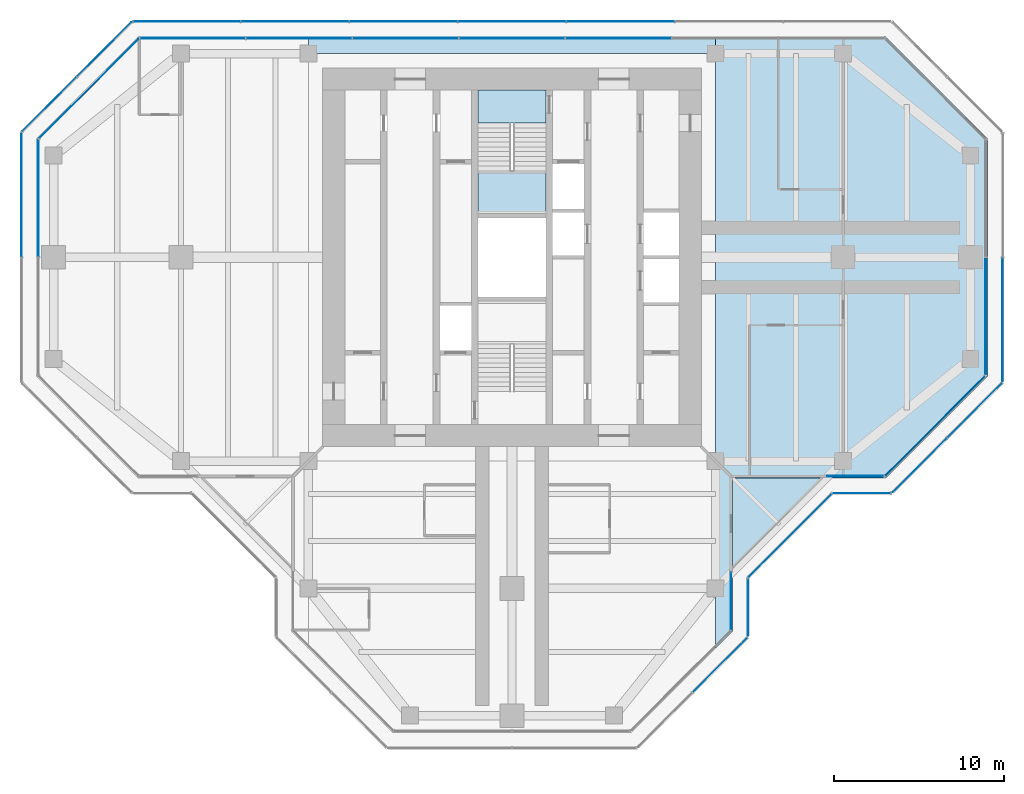
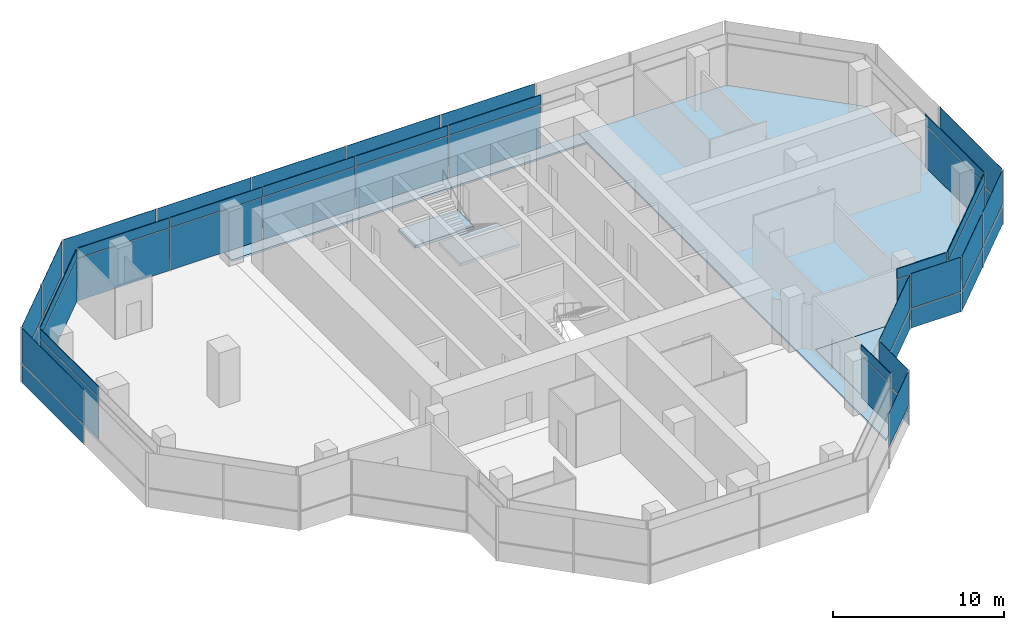
# One storey, part 10 of 15: 51 plates, 5 slabs, 17 elements without a shape of their own.
"""IFC4 building model written with IfcOpenShell, lengths in metres."""

import ifcopenshell
import ifcopenshell.guid

model = None  # the IFC model being written
_history = None  # IfcOwnerHistory: only IFC2X3 demands one
_inside = {}  # id of a spatial element -> (the spatial element, [elements in it])
_under = {}  # id of a project, library or spatial element -> (it, [spatial elements below it])
_declared = {}  # id of a project -> (the project, [libraries it declares])
_typed = {}  # id of a type object -> (the type object, [elements of that type])
_made_of = {}  # id of a material, layer set ... -> (it, [elements and type objects made of it])


def new_model(schema):
    """Start an empty IFC model of exactly this schema.

    Asked for "IFC4X3", IfcOpenShell would pick the latest addendum, in which some entities
    have other attributes; the version numbers below select the first issue.
    IFC2X3 requires an IfcOwnerHistory on every rooted entity: one is made here for all.
    """
    global model, _history
    if schema == "IFC4X3":
        model = ifcopenshell.file(schema_version=(4, 3, 0, 0))
    else:
        model = ifcopenshell.file(schema=schema)
    _inside.clear()
    _under.clear()
    _declared.clear()
    _typed.clear()
    _made_of.clear()
    _history = None
    if model.schema == "IFC2X3":
        org = make("IfcOrganization", Name="unknown")
        user = make(
            "IfcPersonAndOrganization",
            ThePerson=make("IfcPerson", FamilyName="unknown"),
            TheOrganization=org,
        )
        app = make(
            "IfcApplication",
            ApplicationDeveloper=org,
            Version="unknown",
            ApplicationFullName="unknown",
            ApplicationIdentifier="unknown",
        )
        _history = make(
            "IfcOwnerHistory",
            OwningUser=user,
            OwningApplication=app,
            ChangeAction="ADDED",
            CreationDate=0,
        )
    return model


def make(cls, **values):
    """One entity of the class cls with the attributes given. An attribute that is None is left unset."""
    return model.create_entity(
        cls, **{name: value for name, value in values.items() if value is not None}
    )


def rooted(cls, **values):
    """An entity with a GlobalId (a new one), such as an element, a storey or a relation."""
    return make(cls, GlobalId=ifcopenshell.guid.new(), OwnerHistory=_history, **values)


def si_unit(unit_type, name, prefix=None):
    """IfcSIUnit, for example si_unit("LENGTHUNIT", "METRE", prefix="MILLI")."""
    return make("IfcSIUnit", UnitType=unit_type, Prefix=prefix, Name=name)


def assignment(units):
    """IfcUnitAssignment: the units of a project."""
    return None if units is None else make("IfcUnitAssignment", Units=units)


def point(xyz):
    """IfcCartesianPoint."""
    return None if xyz is None else make("IfcCartesianPoint", Coordinates=xyz)


def direction(xyz):
    """IfcDirection."""
    return None if xyz is None else make("IfcDirection", DirectionRatios=xyz)


def frame(location, z_axis=None, x_axis=None):
    """IfcAxis2Placement3D, a coordinate frame: its origin and axes. An axis left out is left unset."""
    return make(
        "IfcAxis2Placement3D",
        Location=point(location),
        Axis=direction(z_axis),
        RefDirection=direction(x_axis),
    )


def frame_2d(location, x_axis=None):
    """IfcAxis2Placement2D, a coordinate frame in the plane: its origin and x axis."""
    return make(
        "IfcAxis2Placement2D", Location=point(location), RefDirection=direction(x_axis)
    )


def origin():
    """The frame at (0, 0, 0) with its axes left unset."""
    return frame((0.0, 0.0, 0.0))


def origin_2d():
    """The frame at (0, 0) in the plane with its x axis left unset."""
    return frame_2d((0.0, 0.0))


def place(relative_to, where):
    """IfcLocalPlacement: puts the frame where relative to a parent placement (None: the world)."""
    return make(
        "IfcLocalPlacement", PlacementRelTo=relative_to, RelativePlacement=where
    )


def context(
    kind, dimensions, precision=None, world=None, true_north=None, identifier=None
):
    """IfcGeometricRepresentationContext, for example the 3D "Model" context."""
    return make(
        "IfcGeometricRepresentationContext",
        ContextIdentifier=identifier,
        ContextType=kind,
        CoordinateSpaceDimension=dimensions,
        Precision=precision,
        WorldCoordinateSystem=world,
        TrueNorth=true_north,
    )


def subcontext(parent, identifier, kind, view, scale=None):
    """IfcGeometricRepresentationSubContext, for example "Body" below "Model"."""
    return make(
        "IfcGeometricRepresentationSubContext",
        ContextIdentifier=identifier,
        ContextType=kind,
        ParentContext=parent,
        TargetScale=scale,
        TargetView=view,
    )


def project(units=None, contexts=None):
    """IfcProject with its units and contexts."""
    return rooted(
        "IfcProject",
        Name="project",
        RepresentationContexts=contexts,
        UnitsInContext=assignment(units),
    )


def spatial(cls, under=None, at=None, **own):
    """A site, building, storey or space (cls), placed at a placement, below another one or the project."""
    s = rooted(cls, ObjectPlacement=at, **own)
    if under is not None:
        _under.setdefault(under.id(), (under, []))[1].append(s)
    return s


def polyline(points):
    """IfcPolyline through the points."""
    return make("IfcPolyline", Points=[point(p) for p in points])


def profile(cls, at=None, kind="AREA", **sizes):
    """A parametric profile (cls). Its sizes go by their IFC names, for example OverallWidth=200.0."""
    return make(cls, ProfileType=kind, Position=at, **sizes)


def rectangle(**sizes):
    """IfcRectangleProfileDef."""
    return profile("IfcRectangleProfileDef", **sizes)


def outline(outer, holes=None, kind="AREA"):
    """IfcArbitraryClosedProfileDef: a profile drawn as a closed curve; with holes, ...WithVoids."""
    if holes is None:
        return make("IfcArbitraryClosedProfileDef", ProfileType=kind, OuterCurve=outer)
    return make(
        "IfcArbitraryProfileDefWithVoids",
        ProfileType=kind,
        OuterCurve=outer,
        InnerCurves=holes,
    )


def extrude(swept, where, along, depth):
    """IfcExtrudedAreaSolid: the profile swept, set in the frame where, extruded along a direction by depth."""
    return make(
        "IfcExtrudedAreaSolid",
        SweptArea=swept,
        Position=where,
        ExtrudedDirection=direction(along),
        Depth=depth,
    )


def shape(context_of_items, identifier, shape_type, items):
    """IfcShapeRepresentation: the items that make up one representation, for example the "Body"."""
    return make(
        "IfcShapeRepresentation",
        ContextOfItems=context_of_items,
        RepresentationIdentifier=identifier,
        RepresentationType=shape_type,
        Items=items,
    )


def material(Name=None, Category=None):
    """IfcMaterial."""
    return make("IfcMaterial", Name=Name, Category=Category)


def layer(
    of_material, thickness, ventilated=None, Name=None, Category=None, Priority=None
):
    """IfcMaterialLayer: one layer of a wall or slab, of a material (None: an air gap)."""
    return make(
        "IfcMaterialLayer",
        Material=of_material,
        LayerThickness=thickness,
        IsVentilated=ventilated,
        Name=Name,
        Category=Category,
        Priority=Priority,
    )


def layer_set(layers, Name=None):
    """IfcMaterialLayerSet."""
    return make("IfcMaterialLayerSet", MaterialLayers=layers, LayerSetName=Name)


def made_of(thing, what):
    """Note that an element or type object is made of a material, layer set ...; save() writes the relation."""
    if what is not None:
        _made_of.setdefault(what.id(), (what, []))[1].append(thing)
    return thing


def type_object(cls, material=None, **own):
    """A type object (cls), such as IfcWallType, which elements share."""
    return made_of(rooted(cls, **own), material)


def element(
    cls,
    number,
    at=None,
    inside=None,
    cuts=None,
    type_object=None,
    material=None,
    context=None,
    identifier="Body",
    shape_type=None,
    held_by="IfcProductDefinitionShape",
    body=None,
    shapes=None,
    **own,
):
    """One element of the class cls, such as IfcWall. Its Tag is "e" and its number.

    at: its placement. inside: the storey or other place that contains it. cuts: it is an
    opening in that element (IfcRelVoidsElement). A single representation is given by context,
    identifier, shape_type and body (its items); several are given by shapes. held_by: the class
    of the entity that holds the representations. save() writes the other relations.
    """
    e = rooted(cls, Tag="e%d" % number, ObjectPlacement=at, **own)
    if body is not None:
        shapes = [shape(context, identifier, shape_type, body)]
    if shapes is not None:
        e.Representation = make(held_by, Representations=shapes)
    if inside is not None:
        _inside.setdefault(inside.id(), (inside, []))[1].append(e)
    if cuts is not None:
        rooted(
            "IfcRelVoidsElement", RelatingBuildingElement=cuts, RelatedOpeningElement=e
        )
    if type_object is not None:
        _typed.setdefault(type_object.id(), (type_object, []))[1].append(e)
    return made_of(e, material)


def aggregate(whole, parts):
    """IfcRelAggregates: a whole, such as a stair, and the parts it consists of."""
    return rooted("IfcRelAggregates", RelatingObject=whole, RelatedObjects=parts)


def save(model, path):
    """Write the relations noted so far, then the file.

    IfcRelAggregates (storeys below a building ...), IfcRelContainedInSpatialStructure (elements
    in a storey), IfcRelDefinesByType, IfcRelAssociatesMaterial and IfcRelDeclares: one each for
    every whole, place, type object, material and project.
    """
    for whole, parts in _under.values():
        aggregate(whole, parts)
    for where, things in _inside.values():
        rooted(
            "IfcRelContainedInSpatialStructure",
            RelatedElements=things,
            RelatingStructure=where,
        )
    for kind, things in _typed.values():
        rooted("IfcRelDefinesByType", RelatedObjects=things, RelatingType=kind)
    for what, things in _made_of.values():
        rooted("IfcRelAssociatesMaterial", RelatedObjects=things, RelatingMaterial=what)
    for by, libraries in _declared.values():
        rooted("IfcRelDeclares", RelatingContext=by, RelatedDefinitions=libraries)
    model.write(path)


model = new_model("IFC4")

# Units and contexts
model_context = context("Model", 3, precision=1e-05, world=origin(), true_north=direction((0.0, 1.0)))
body_context = subcontext(model_context, "Body", "Model", "MODEL_VIEW")
ifc_project = project(units=[si_unit("LENGTHUNIT", "METRE"), si_unit("AREAUNIT", "SQUARE_METRE"), si_unit("VOLUMEUNIT", "CUBIC_METRE"), si_unit("PLANEANGLEUNIT", "RADIAN"), si_unit("MASSUNIT", "GRAM", prefix="KILO")], contexts=[model_context])

# Site, building, storey
site_placement = place(None, origin())
site = spatial("IfcSite", under=ifc_project, at=site_placement, CompositionType="ELEMENT")
building_placement = place(site_placement, origin())
building = spatial("IfcBuilding", under=site, at=building_placement, Name="Mizan Broadcast Tower", CompositionType="ELEMENT")
storey_placement = place(building_placement, frame((0.0, 0.0, 271.199951171875)))
storey = spatial("IfcBuildingStorey", under=building, at=storey_placement, Name="L64", CompositionType="ELEMENT", Elevation=271.199951171875)

# Slabs
ifc_material_1 = material(Name="Concrete C32/40", Category="concrete")
ifc_layer_1 = layer(ifc_material_1, 0.1298828125)
ifc_layer_set_1 = layer_set([ifc_layer_1], Name="Concrete C32/40")
slab_type_1 = type_object("IfcSlabType", Name="COMPOSITE DECK SLAB 130", PredefinedType="FLOOR", material=ifc_layer_set_1)
slab_1_placement = place(storey_placement, frame((0.0, 0.0, -0.1298828125)))
element("IfcSlab", 1, at=slab_1_placement, inside=storey, type_object=slab_type_1, Name="Floor slab L64 east arm", PredefinedType="FLOOR", context=body_context, shape_type="SweptSolid", body=[
    extrude(outline(polyline([(12.0, -23.0), (13.0, -22.0), (13.0, -13.0), (22.0, -13.0), (28.0, -7.0), (28.0, 7.0), (22.0, 13.0), (13.0, 13.0), (12.0, 13.0), (12.0, -23.0)])), origin(), (0.0, 0.0, 1.0), 0.1298828125),
])
slab_2_placement = place(storey_placement, frame((0.0, 0.0, -0.1298828125)))
element("IfcSlab", 2, at=slab_2_placement, inside=storey, type_object=slab_type_1, Name="Floor slab L64 north arm", PredefinedType="FLOOR", context=body_context, shape_type="SweptSolid", body=[
    extrude(outline(polyline([(12.0, 13.0), (-12.0, 13.0), (-12.0, 12.0), (12.0, 12.0), (12.0, 13.0)])), origin(), (0.0, 0.0, 1.0), 0.1298828125),
])

# Curtain wall, plate
ifc_material_2 = material(Name="Aluminium framed glazing", Category="aluminium")
curtain_wall_type_1 = type_object("IfcCurtainWallType", Name="INNER SKIN TOP ZONE", PredefinedType="USERDEFINED", material=ifc_material_2)
curtain_wall_1_placement = place(storey_placement, origin())
curtain_wall_1 = element("IfcCurtainWall", 3, at=curtain_wall_1_placement, inside=storey, type_object=curtain_wall_type_1, Name="Inner skin top zone L64 E side", ObjectType="INNER SKIN TOP ZONE", PredefinedType="USERDEFINED")
ifc_material_3 = material(Name="Double glazing, clear low-e", Category="glass")
ifc_layer_2 = layer(ifc_material_3, 0.028076171875)
ifc_layer_set_2 = layer_set([ifc_layer_2], Name="Double glazing, clear low-e")
plate_type_1 = type_object("IfcPlateType", Name="INNER SKIN GLAZING UNIT", PredefinedType="CURTAIN_PANEL", material=ifc_layer_set_2)
plate_1_placement = place(storey_placement, frame((20.229248046875, -12.89990234375, 0.0), z_axis=(0.0, 0.0, 1.0), x_axis=(1.0, 0.0, 0.0)))
plate_1 = element("IfcPlate", 4, at=plate_1_placement, type_object=plate_type_1, Name="Inner skin top zone L64 E side panel 1.1", PredefinedType="CURTAIN_PANEL", context=body_context, shape_type="SweptSolid", body=[
    extrude(rectangle(XDim=3.338623046875, YDim=0.028076171875, at=origin_2d()), origin(), (0.0, 0.0, 1.0), 3.0),
])

curtain_wall_2_placement = place(storey_placement, origin())
curtain_wall_2 = element("IfcCurtainWall", 5, at=curtain_wall_2_placement, inside=storey, type_object=curtain_wall_type_1, Name="Inner skin top zone L64 E chamfer", ObjectType="INNER SKIN TOP ZONE", PredefinedType="USERDEFINED")
plate_2_placement = place(storey_placement, frame((24.92919921875, -9.92919921875, 0.0), z_axis=(0.0, 0.0, 1.0), x_axis=(0.707106781187, 0.707106781187, 0.0)))
plate_2 = element("IfcPlate", 6, at=plate_2_placement, type_object=plate_type_1, Name="Inner skin top zone L64 E chamfer panel 1.1", PredefinedType="CURTAIN_PANEL", context=body_context, shape_type="SweptSolid", body=[
    extrude(rectangle(XDim=8.282470703125, YDim=0.028076171875, at=origin_2d()), origin(), (0.0, 0.0, 1.0), 3.0),
])

curtain_wall_3_placement = place(storey_placement, origin())
curtain_wall_3 = element("IfcCurtainWall", 7, at=curtain_wall_3_placement, inside=storey, type_object=curtain_wall_type_1, Name="Inner skin top zone L64 E end", ObjectType="INNER SKIN TOP ZONE", PredefinedType="USERDEFINED")
plate_3_placement = place(storey_placement, frame((27.89990234375, -3.46435546875, 0.0), z_axis=(0.0, 0.0, 1.0), x_axis=(0.0, 1.0, 0.0)))
plate_3 = element("IfcPlate", 8, at=plate_3_placement, type_object=plate_type_1, Name="Inner skin top zone L64 E end panel 1.1", PredefinedType="CURTAIN_PANEL", context=body_context, shape_type="SweptSolid", body=[
    extrude(rectangle(XDim=6.86865234375, YDim=0.028076171875, at=origin_2d()), origin(), (0.0, 0.0, 1.0), 3.0),
])

# Curtain wall, plates
curtain_wall_4_placement = place(storey_placement, origin())
curtain_wall_4 = element("IfcCurtainWall", 9, at=curtain_wall_4_placement, inside=storey, type_object=curtain_wall_type_1, Name="Inner skin top zone L64 N end", ObjectType="INNER SKIN TOP ZONE", PredefinedType="USERDEFINED")
plate_4_placement = place(storey_placement, frame((6.27392578125, 12.89990234375, 0.0), z_axis=(0.0, 0.0, 1.0), x_axis=(-1.0, 0.0, 0.0)))
plate_4 = element("IfcPlate", 10, at=plate_4_placement, type_object=plate_type_1, Name="Inner skin top zone L64 N end panel 3.1", PredefinedType="CURTAIN_PANEL", context=body_context, shape_type="SweptSolid", body=[
    extrude(rectangle(XDim=6.2138671875, YDim=0.028076171875, at=origin_2d()), origin(), (0.0, 0.0, 1.0), 3.0),
])
plate_5_placement = place(storey_placement, frame((0.0, 12.89990234375, 0.0), z_axis=(0.0, 0.0, 1.0), x_axis=(-1.0, 0.0, 0.0)))
plate_5 = element("IfcPlate", 11, at=plate_5_placement, type_object=plate_type_1, Name="Inner skin top zone L64 N end panel 4.1", PredefinedType="CURTAIN_PANEL", context=body_context, shape_type="SweptSolid", body=[
    extrude(rectangle(XDim=6.2138671875, YDim=0.028076171875, at=origin_2d()), origin(), (0.0, 0.0, 1.0), 3.0),
])
plate_6_placement = place(storey_placement, frame((-6.27392578125, 12.89990234375, 0.0), z_axis=(0.0, 0.0, 1.0), x_axis=(-1.0, 0.0, 0.0)))
plate_6 = element("IfcPlate", 12, at=plate_6_placement, type_object=plate_type_1, Name="Inner skin top zone L64 N end panel 5.1", PredefinedType="CURTAIN_PANEL", context=body_context, shape_type="SweptSolid", body=[
    extrude(rectangle(XDim=6.2138671875, YDim=0.028076171875, at=origin_2d()), origin(), (0.0, 0.0, 1.0), 3.0),
])
plate_7_placement = place(storey_placement, frame((-12.5478515625, 12.89990234375, 0.0), z_axis=(0.0, 0.0, 1.0), x_axis=(-1.0, 0.0, 0.0)))
plate_7 = element("IfcPlate", 13, at=plate_7_placement, type_object=plate_type_1, Name="Inner skin top zone L64 N end panel 6.1", PredefinedType="CURTAIN_PANEL", context=body_context, shape_type="SweptSolid", body=[
    extrude(rectangle(XDim=6.2138671875, YDim=0.028076171875, at=origin_2d()), origin(), (0.0, 0.0, 1.0), 3.0),
])
plate_8_placement = place(storey_placement, frame((-18.806640625, 12.89990234375, 0.0), z_axis=(0.0, 0.0, 1.0), x_axis=(-1.0, 0.0, 0.0)))
plate_8 = element("IfcPlate", 14, at=plate_8_placement, type_object=plate_type_1, Name="Inner skin top zone L64 N end panel 7.1", PredefinedType="CURTAIN_PANEL", context=body_context, shape_type="SweptSolid", body=[
    extrude(rectangle(XDim=6.183837890625, YDim=0.028076171875, at=origin_2d()), origin(), (0.0, 0.0, 1.0), 3.0),
])

# Curtain wall, plate
curtain_wall_5_placement = place(storey_placement, origin())
curtain_wall_5 = element("IfcCurtainWall", 15, at=curtain_wall_5_placement, inside=storey, type_object=curtain_wall_type_1, Name="Inner skin top zone L64 W chamfer", ObjectType="INNER SKIN TOP ZONE", PredefinedType="USERDEFINED")
plate_9_placement = place(storey_placement, frame((-24.92919921875, 9.92919921875, 0.0), z_axis=(0.0, 0.0, 1.0), x_axis=(-0.707106781187, -0.707106781187, 0.0)))
plate_9 = element("IfcPlate", 16, at=plate_9_placement, type_object=plate_type_1, Name="Inner skin top zone L64 W chamfer panel 1.1", PredefinedType="CURTAIN_PANEL", context=body_context, shape_type="SweptSolid", body=[
    extrude(rectangle(XDim=8.282470703125, YDim=0.028076171875, at=origin_2d()), origin(), (0.0, 0.0, 1.0), 3.0),
])

curtain_wall_6_placement = place(storey_placement, origin())
curtain_wall_6 = element("IfcCurtainWall", 17, at=curtain_wall_6_placement, inside=storey, type_object=curtain_wall_type_1, Name="Inner skin top zone L64 W end", ObjectType="INNER SKIN TOP ZONE", PredefinedType="USERDEFINED")
plate_10_placement = place(storey_placement, frame((-27.89990234375, 3.46435546875, 0.0), z_axis=(0.0, 0.0, 1.0), x_axis=(0.0, -1.0, 0.0)))
plate_10 = element("IfcPlate", 18, at=plate_10_placement, type_object=plate_type_1, Name="Inner skin top zone L64 W end panel 1.1", PredefinedType="CURTAIN_PANEL", context=body_context, shape_type="SweptSolid", body=[
    extrude(rectangle(XDim=6.86865234375, YDim=0.028076171875, at=origin_2d()), origin(), (0.0, 0.0, 1.0), 3.0),
])

curtain_wall_7_placement = place(storey_placement, origin())
curtain_wall_7 = element("IfcCurtainWall", 19, at=curtain_wall_7_placement, inside=storey, type_object=curtain_wall_type_1, Name="Inner skin top zone L64 S side", ObjectType="INNER SKIN TOP ZONE", PredefinedType="USERDEFINED")
plate_11_placement = place(storey_placement, frame((12.89990234375, -20.229248046875, 0.0), z_axis=(0.0, 0.0, 1.0), x_axis=(0.0, 1.0, 0.0)))
plate_11 = element("IfcPlate", 20, at=plate_11_placement, type_object=plate_type_1, Name="Inner skin top zone L64 S side panel 1.1", PredefinedType="CURTAIN_PANEL", context=body_context, shape_type="SweptSolid", body=[
    extrude(rectangle(XDim=3.338623046875, YDim=0.028076171875, at=origin_2d()), origin(), (0.0, 0.0, 1.0), 3.0),
])

# Plate
ifc_material_4 = material(Name="Insulated aluminium spandrel panel, pale anodised", Category="aluminium")
ifc_layer_3 = layer(ifc_material_4, 0.050048828125)
ifc_layer_set_3 = layer_set([ifc_layer_3], Name="Insulated aluminium spandrel panel, pale anodised")
plate_type_2 = type_object("IfcPlateType", Name="INNER SKIN SPANDREL PANEL", PredefinedType="CURTAIN_PANEL", material=ifc_layer_set_3)
plate_12_placement = place(storey_placement, frame((20.229248046875, -12.89990234375, 3.06005859375), z_axis=(0.0, 0.0, 1.0), x_axis=(1.0, 0.0, 0.0)))
plate_12 = element("IfcPlate", 21, at=plate_12_placement, type_object=plate_type_2, Name="Inner skin top zone L64 E side panel 1.2", PredefinedType="CURTAIN_PANEL", context=body_context, shape_type="SweptSolid", body=[
    extrude(rectangle(XDim=3.338623046875, YDim=0.050048828125, at=origin_2d()), origin(), (0.0, 0.0, 1.0), 0.7099609375),
])

aggregate(curtain_wall_1, [plate_1, plate_12])

plate_13_placement = place(storey_placement, frame((24.92919921875, -9.92919921875, 3.06005859375), z_axis=(0.0, 0.0, 1.0), x_axis=(0.707106781187, 0.707106781187, 0.0)))
plate_13 = element("IfcPlate", 22, at=plate_13_placement, type_object=plate_type_2, Name="Inner skin top zone L64 E chamfer panel 1.2", PredefinedType="CURTAIN_PANEL", context=body_context, shape_type="SweptSolid", body=[
    extrude(rectangle(XDim=8.282470703125, YDim=0.050048828125, at=origin_2d()), origin(), (0.0, 0.0, 1.0), 0.7099609375),
])

aggregate(curtain_wall_2, [plate_2, plate_13])

plate_14_placement = place(storey_placement, frame((27.89990234375, -3.46435546875, 3.06005859375), z_axis=(0.0, 0.0, 1.0), x_axis=(0.0, 1.0, 0.0)))
plate_14 = element("IfcPlate", 23, at=plate_14_placement, type_object=plate_type_2, Name="Inner skin top zone L64 E end panel 1.2", PredefinedType="CURTAIN_PANEL", context=body_context, shape_type="SweptSolid", body=[
    extrude(rectangle(XDim=6.86865234375, YDim=0.050048828125, at=origin_2d()), origin(), (0.0, 0.0, 1.0), 0.7099609375),
])

aggregate(curtain_wall_3, [plate_3, plate_14])

plate_15_placement = place(storey_placement, frame((6.27392578125, 12.89990234375, 3.06005859375), z_axis=(0.0, 0.0, 1.0), x_axis=(-1.0, 0.0, 0.0)))
plate_15 = element("IfcPlate", 24, at=plate_15_placement, type_object=plate_type_2, Name="Inner skin top zone L64 N end panel 3.2", PredefinedType="CURTAIN_PANEL", context=body_context, shape_type="SweptSolid", body=[
    extrude(rectangle(XDim=6.2138671875, YDim=0.050048828125, at=origin_2d()), origin(), (0.0, 0.0, 1.0), 0.7099609375),
])

plate_16_placement = place(storey_placement, frame((0.0, 12.89990234375, 3.06005859375), z_axis=(0.0, 0.0, 1.0), x_axis=(-1.0, 0.0, 0.0)))
plate_16 = element("IfcPlate", 25, at=plate_16_placement, type_object=plate_type_2, Name="Inner skin top zone L64 N end panel 4.2", PredefinedType="CURTAIN_PANEL", context=body_context, shape_type="SweptSolid", body=[
    extrude(rectangle(XDim=6.2138671875, YDim=0.050048828125, at=origin_2d()), origin(), (0.0, 0.0, 1.0), 0.7099609375),
])

plate_17_placement = place(storey_placement, frame((-6.27392578125, 12.89990234375, 3.06005859375), z_axis=(0.0, 0.0, 1.0), x_axis=(-1.0, 0.0, 0.0)))
plate_17 = element("IfcPlate", 26, at=plate_17_placement, type_object=plate_type_2, Name="Inner skin top zone L64 N end panel 5.2", PredefinedType="CURTAIN_PANEL", context=body_context, shape_type="SweptSolid", body=[
    extrude(rectangle(XDim=6.2138671875, YDim=0.050048828125, at=origin_2d()), origin(), (0.0, 0.0, 1.0), 0.7099609375),
])

plate_18_placement = place(storey_placement, frame((-12.5478515625, 12.89990234375, 3.06005859375), z_axis=(0.0, 0.0, 1.0), x_axis=(-1.0, 0.0, 0.0)))
plate_18 = element("IfcPlate", 27, at=plate_18_placement, type_object=plate_type_2, Name="Inner skin top zone L64 N end panel 6.2", PredefinedType="CURTAIN_PANEL", context=body_context, shape_type="SweptSolid", body=[
    extrude(rectangle(XDim=6.2138671875, YDim=0.050048828125, at=origin_2d()), origin(), (0.0, 0.0, 1.0), 0.7099609375),
])

plate_19_placement = place(storey_placement, frame((-18.806640625, 12.89990234375, 3.06005859375), z_axis=(0.0, 0.0, 1.0), x_axis=(-1.0, 0.0, 0.0)))
plate_19 = element("IfcPlate", 28, at=plate_19_placement, type_object=plate_type_2, Name="Inner skin top zone L64 N end panel 7.2", PredefinedType="CURTAIN_PANEL", context=body_context, shape_type="SweptSolid", body=[
    extrude(rectangle(XDim=6.183837890625, YDim=0.050048828125, at=origin_2d()), origin(), (0.0, 0.0, 1.0), 0.7099609375),
])

aggregate(curtain_wall_4, [plate_4, plate_15, plate_5, plate_16, plate_6, plate_17, plate_7, plate_18, plate_8, plate_19])

plate_20_placement = place(storey_placement, frame((-24.92919921875, 9.92919921875, 3.06005859375), z_axis=(0.0, 0.0, 1.0), x_axis=(-0.707106781187, -0.707106781187, 0.0)))
plate_20 = element("IfcPlate", 29, at=plate_20_placement, type_object=plate_type_2, Name="Inner skin top zone L64 W chamfer panel 1.2", PredefinedType="CURTAIN_PANEL", context=body_context, shape_type="SweptSolid", body=[
    extrude(rectangle(XDim=8.282470703125, YDim=0.050048828125, at=origin_2d()), origin(), (0.0, 0.0, 1.0), 0.7099609375),
])

aggregate(curtain_wall_5, [plate_9, plate_20])

plate_21_placement = place(storey_placement, frame((-27.89990234375, 3.46435546875, 3.06005859375), z_axis=(0.0, 0.0, 1.0), x_axis=(0.0, -1.0, 0.0)))
plate_21 = element("IfcPlate", 30, at=plate_21_placement, type_object=plate_type_2, Name="Inner skin top zone L64 W end panel 1.2", PredefinedType="CURTAIN_PANEL", context=body_context, shape_type="SweptSolid", body=[
    extrude(rectangle(XDim=6.86865234375, YDim=0.050048828125, at=origin_2d()), origin(), (0.0, 0.0, 1.0), 0.7099609375),
])

aggregate(curtain_wall_6, [plate_10, plate_21])

plate_22_placement = place(storey_placement, frame((12.89990234375, -20.229248046875, 3.06005859375), z_axis=(0.0, 0.0, 1.0), x_axis=(0.0, 1.0, 0.0)))
plate_22 = element("IfcPlate", 31, at=plate_22_placement, type_object=plate_type_2, Name="Inner skin top zone L64 S side panel 1.2", PredefinedType="CURTAIN_PANEL", context=body_context, shape_type="SweptSolid", body=[
    extrude(rectangle(XDim=3.338623046875, YDim=0.050048828125, at=origin_2d()), origin(), (0.0, 0.0, 1.0), 0.7099609375),
])

aggregate(curtain_wall_7, [plate_11, plate_22])

# Curtain wall, plates
ifc_material_5 = material(Name="Aluminium framed glazing", Category="aluminium")
curtain_wall_type_2 = type_object("IfcCurtainWallType", Name="OUTER SKIN", PredefinedType="USERDEFINED", material=ifc_material_5)
curtain_wall_8_placement = place(storey_placement, origin())
curtain_wall_8 = element("IfcCurtainWall", 32, at=curtain_wall_8_placement, inside=storey, type_object=curtain_wall_type_2, Name="Outer skin L64 S side", ObjectType="OUTER SKIN", PredefinedType="USERDEFINED")
ifc_material_6 = material(Name="Laminated clear glass", Category="glass")
ifc_layer_4 = layer(ifc_material_6, 0.02001953125)
ifc_layer_set_4 = layer_set([ifc_layer_4], Name="Laminated clear glass")
plate_type_3 = type_object("IfcPlateType", Name="OUTER SKIN CLEAR GLASS", PredefinedType="CURTAIN_PANEL", material=ifc_layer_set_4)
plate_23_placement = place(storey_placement, frame((13.89990234375, -20.622802734375, 0.0), z_axis=(0.0, 0.0, 1.0), x_axis=(0.0, 1.0, 0.0)))
plate_23 = element("IfcPlate", 33, at=plate_23_placement, type_object=plate_type_3, Name="Outer skin L64 S side panel 1.1", PredefinedType="CURTAIN_PANEL", context=body_context, shape_type="SweptSolid", body=[
    extrude(rectangle(XDim=3.340087890625, YDim=0.02001953125, at=origin_2d()), origin(), (0.0, 0.0, 1.0), 1.3701171875),
])
plate_24_placement = place(storey_placement, frame((13.89990234375, -20.622802734375, 1.43017578125), z_axis=(0.0, 0.0, 1.0), x_axis=(0.0, 1.0, 0.0)))
plate_24 = element("IfcPlate", 34, at=plate_24_placement, type_object=plate_type_3, Name="Outer skin L64 S side panel 1.2", PredefinedType="CURTAIN_PANEL", context=body_context, shape_type="SweptSolid", body=[
    extrude(rectangle(XDim=3.340087890625, YDim=0.02001953125, at=origin_2d()), origin(), (0.0, 0.0, 1.0), 2.469970703125),
])
aggregate(curtain_wall_8, [plate_23, plate_24])

curtain_wall_9_placement = place(storey_placement, origin())
curtain_wall_9 = element("IfcCurtainWall", 35, at=curtain_wall_9_placement, inside=storey, type_object=curtain_wall_type_2, Name="Outer skin L64 E chamfer", ObjectType="OUTER SKIN", PredefinedType="USERDEFINED")
plate_25_placement = place(storey_placement, frame((16.386474609375, -16.386474609375, 0.0), z_axis=(0.0, 0.0, 1.0), x_axis=(0.707106781187, 0.707106781187, 0.0)))
plate_25 = element("IfcPlate", 36, at=plate_25_placement, type_object=plate_type_3, Name="Outer skin L64 E chamfer panel 1.1", PredefinedType="CURTAIN_PANEL", context=body_context, shape_type="SweptSolid", body=[
    extrude(rectangle(XDim=6.87255859375, YDim=0.02001953125, at=origin_2d()), origin(), (0.0, 0.0, 1.0), 1.3701171875),
])
plate_26_placement = place(storey_placement, frame((16.386474609375, -16.386474609375, 1.43017578125), z_axis=(0.0, 0.0, 1.0), x_axis=(0.707106781187, 0.707106781187, 0.0)))
plate_26 = element("IfcPlate", 37, at=plate_26_placement, type_object=plate_type_3, Name="Outer skin L64 E chamfer panel 1.2", PredefinedType="CURTAIN_PANEL", context=body_context, shape_type="SweptSolid", body=[
    extrude(rectangle(XDim=6.87255859375, YDim=0.02001953125, at=origin_2d()), origin(), (0.0, 0.0, 1.0), 2.469970703125),
])
aggregate(curtain_wall_9, [plate_25, plate_26])

curtain_wall_10_placement = place(storey_placement, origin())
curtain_wall_10 = element("IfcCurtainWall", 38, at=curtain_wall_10_placement, inside=storey, type_object=curtain_wall_type_2, Name="Outer skin L64 E side", ObjectType="OUTER SKIN", PredefinedType="USERDEFINED")
plate_27_placement = place(storey_placement, frame((20.622802734375, -13.89990234375, 0.0), z_axis=(0.0, 0.0, 1.0), x_axis=(1.0, 0.0, 0.0)))
plate_27 = element("IfcPlate", 39, at=plate_27_placement, type_object=plate_type_3, Name="Outer skin L64 E side panel 1.1", PredefinedType="CURTAIN_PANEL", context=body_context, shape_type="SweptSolid", body=[
    extrude(rectangle(XDim=3.340087890625, YDim=0.02001953125, at=origin_2d()), origin(), (0.0, 0.0, 1.0), 1.3701171875),
])
plate_28_placement = place(storey_placement, frame((20.622802734375, -13.89990234375, 1.43017578125), z_axis=(0.0, 0.0, 1.0), x_axis=(1.0, 0.0, 0.0)))
plate_28 = element("IfcPlate", 40, at=plate_28_placement, type_object=plate_type_3, Name="Outer skin L64 E side panel 1.2", PredefinedType="CURTAIN_PANEL", context=body_context, shape_type="SweptSolid", body=[
    extrude(rectangle(XDim=3.340087890625, YDim=0.02001953125, at=origin_2d()), origin(), (0.0, 0.0, 1.0), 2.469970703125),
])
aggregate(curtain_wall_10, [plate_27, plate_28])

curtain_wall_11_placement = place(storey_placement, origin())
curtain_wall_11 = element("IfcCurtainWall", 41, at=curtain_wall_11_placement, inside=storey, type_object=curtain_wall_type_2, Name="Outer skin L64 E chamfer", ObjectType="OUTER SKIN", PredefinedType="USERDEFINED")
plate_29_placement = place(storey_placement, frame((24.018798828125, -12.254150390625, 0.0), z_axis=(0.0, 0.0, 1.0), x_axis=(0.707106781187, 0.707106781187, 0.0)))
plate_29 = element("IfcPlate", 42, at=plate_29_placement, type_object=plate_type_3, Name="Outer skin L64 E chamfer panel 1.1", PredefinedType="CURTAIN_PANEL", context=body_context, shape_type="SweptSolid", body=[
    extrude(rectangle(XDim=4.495361328125, YDim=0.02001953125, at=origin_2d()), origin(), (0.0, 0.0, 1.0), 1.3701171875),
])
plate_30_placement = place(storey_placement, frame((24.018798828125, -12.254150390625, 1.43017578125), z_axis=(0.0, 0.0, 1.0), x_axis=(0.707106781187, 0.707106781187, 0.0)))
plate_30 = element("IfcPlate", 43, at=plate_30_placement, type_object=plate_type_3, Name="Outer skin L64 E chamfer panel 1.2", PredefinedType="CURTAIN_PANEL", context=body_context, shape_type="SweptSolid", body=[
    extrude(rectangle(XDim=4.495361328125, YDim=0.02001953125, at=origin_2d()), origin(), (0.0, 0.0, 1.0), 2.469970703125),
])

curtain_wall_12_placement = place(storey_placement, origin())
curtain_wall_12 = element("IfcCurtainWall", 44, at=curtain_wall_12_placement, inside=storey, type_object=curtain_wall_type_2, Name="Outer skin L64 E end", ObjectType="OUTER SKIN", PredefinedType="USERDEFINED")
plate_31_placement = place(storey_placement, frame((28.89990234375, -3.66650390625, 0.0), z_axis=(0.0, 0.0, 1.0), x_axis=(0.0, 1.0, 0.0)))
plate_31 = element("IfcPlate", 45, at=plate_31_placement, type_object=plate_type_3, Name="Outer skin L64 E end panel 1.1", PredefinedType="CURTAIN_PANEL", context=body_context, shape_type="SweptSolid", body=[
    extrude(rectangle(XDim=7.252685546875, YDim=0.02001953125, at=origin_2d()), origin(), (0.0, 0.0, 1.0), 1.3701171875),
])
plate_32_placement = place(storey_placement, frame((28.89990234375, -3.66650390625, 1.43017578125), z_axis=(0.0, 0.0, 1.0), x_axis=(0.0, 1.0, 0.0)))
plate_32 = element("IfcPlate", 46, at=plate_32_placement, type_object=plate_type_3, Name="Outer skin L64 E end panel 1.2", PredefinedType="CURTAIN_PANEL", context=body_context, shape_type="SweptSolid", body=[
    extrude(rectangle(XDim=7.252685546875, YDim=0.02001953125, at=origin_2d()), origin(), (0.0, 0.0, 1.0), 2.469970703125),
])
aggregate(curtain_wall_12, [plate_31, plate_32])

curtain_wall_13_placement = place(storey_placement, origin())
curtain_wall_13 = element("IfcCurtainWall", 47, at=curtain_wall_13_placement, inside=storey, type_object=curtain_wall_type_2, Name="Outer skin L64 N end", ObjectType="OUTER SKIN", PredefinedType="USERDEFINED")
plate_33_placement = place(storey_placement, frame((6.392333984375, 13.89990234375, 0.0), z_axis=(0.0, 0.0, 1.0), x_axis=(-1.0, 0.0, 0.0)))
plate_33 = element("IfcPlate", 48, at=plate_33_placement, type_object=plate_type_3, Name="Outer skin L64 N end panel 3.1", PredefinedType="CURTAIN_PANEL", context=body_context, shape_type="SweptSolid", body=[
    extrude(rectangle(XDim=6.312255859375, YDim=0.02001953125, at=origin_2d()), origin(), (0.0, 0.0, 1.0), 1.3701171875),
])
plate_34_placement = place(storey_placement, frame((6.392333984375, 13.89990234375, 1.43017578125), z_axis=(0.0, 0.0, 1.0), x_axis=(-1.0, 0.0, 0.0)))
plate_34 = element("IfcPlate", 49, at=plate_34_placement, type_object=plate_type_3, Name="Outer skin L64 N end panel 3.2", PredefinedType="CURTAIN_PANEL", context=body_context, shape_type="SweptSolid", body=[
    extrude(rectangle(XDim=6.312255859375, YDim=0.02001953125, at=origin_2d()), origin(), (0.0, 0.0, 1.0), 2.469970703125),
])
plate_35_placement = place(storey_placement, frame((0.0, 13.89990234375, 0.0), z_axis=(0.0, 0.0, 1.0), x_axis=(-1.0, 0.0, 0.0)))
plate_35 = element("IfcPlate", 50, at=plate_35_placement, type_object=plate_type_3, Name="Outer skin L64 N end panel 4.1", PredefinedType="CURTAIN_PANEL", context=body_context, shape_type="SweptSolid", body=[
    extrude(rectangle(XDim=6.312255859375, YDim=0.02001953125, at=origin_2d()), origin(), (0.0, 0.0, 1.0), 1.3701171875),
])
plate_36_placement = place(storey_placement, frame((0.0, 13.89990234375, 1.43017578125), z_axis=(0.0, 0.0, 1.0), x_axis=(-1.0, 0.0, 0.0)))
plate_36 = element("IfcPlate", 51, at=plate_36_placement, type_object=plate_type_3, Name="Outer skin L64 N end panel 4.2", PredefinedType="CURTAIN_PANEL", context=body_context, shape_type="SweptSolid", body=[
    extrude(rectangle(XDim=6.312255859375, YDim=0.02001953125, at=origin_2d()), origin(), (0.0, 0.0, 1.0), 2.469970703125),
])
plate_37_placement = place(storey_placement, frame((-6.392333984375, 13.89990234375, 0.0), z_axis=(0.0, 0.0, 1.0), x_axis=(-1.0, 0.0, 0.0)))
plate_37 = element("IfcPlate", 52, at=plate_37_placement, type_object=plate_type_3, Name="Outer skin L64 N end panel 5.1", PredefinedType="CURTAIN_PANEL", context=body_context, shape_type="SweptSolid", body=[
    extrude(rectangle(XDim=6.312255859375, YDim=0.02001953125, at=origin_2d()), origin(), (0.0, 0.0, 1.0), 1.3701171875),
])
plate_38_placement = place(storey_placement, frame((-6.392333984375, 13.89990234375, 1.43017578125), z_axis=(0.0, 0.0, 1.0), x_axis=(-1.0, 0.0, 0.0)))
plate_38 = element("IfcPlate", 53, at=plate_38_placement, type_object=plate_type_3, Name="Outer skin L64 N end panel 5.2", PredefinedType="CURTAIN_PANEL", context=body_context, shape_type="SweptSolid", body=[
    extrude(rectangle(XDim=6.312255859375, YDim=0.02001953125, at=origin_2d()), origin(), (0.0, 0.0, 1.0), 2.469970703125),
])
plate_39_placement = place(storey_placement, frame((-12.784423828125, 13.89990234375, 0.0), z_axis=(0.0, 0.0, 1.0), x_axis=(-1.0, 0.0, 0.0)))
plate_39 = element("IfcPlate", 54, at=plate_39_placement, type_object=plate_type_3, Name="Outer skin L64 N end panel 6.1", PredefinedType="CURTAIN_PANEL", context=body_context, shape_type="SweptSolid", body=[
    extrude(rectangle(XDim=6.312255859375, YDim=0.02001953125, at=origin_2d()), origin(), (0.0, 0.0, 1.0), 1.3701171875),
])
plate_40_placement = place(storey_placement, frame((-12.784423828125, 13.89990234375, 1.43017578125), z_axis=(0.0, 0.0, 1.0), x_axis=(-1.0, 0.0, 0.0)))
plate_40 = element("IfcPlate", 55, at=plate_40_placement, type_object=plate_type_3, Name="Outer skin L64 N end panel 6.2", PredefinedType="CURTAIN_PANEL", context=body_context, shape_type="SweptSolid", body=[
    extrude(rectangle(XDim=6.312255859375, YDim=0.02001953125, at=origin_2d()), origin(), (0.0, 0.0, 1.0), 2.469970703125),
])
plate_41_placement = place(storey_placement, frame((-19.15673828125, 13.89990234375, 0.0), z_axis=(0.0, 0.0, 1.0), x_axis=(-1.0, 0.0, 0.0)))
plate_41 = element("IfcPlate", 56, at=plate_41_placement, type_object=plate_type_3, Name="Outer skin L64 N end panel 7.1", PredefinedType="CURTAIN_PANEL", context=body_context, shape_type="SweptSolid", body=[
    extrude(rectangle(XDim=6.272216796875, YDim=0.02001953125, at=origin_2d()), origin(), (0.0, 0.0, 1.0), 1.3701171875),
])
plate_42_placement = place(storey_placement, frame((-19.15673828125, 13.89990234375, 1.43017578125), z_axis=(0.0, 0.0, 1.0), x_axis=(-1.0, 0.0, 0.0)))
plate_42 = element("IfcPlate", 57, at=plate_42_placement, type_object=plate_type_3, Name="Outer skin L64 N end panel 7.2", PredefinedType="CURTAIN_PANEL", context=body_context, shape_type="SweptSolid", body=[
    extrude(rectangle(XDim=6.272216796875, YDim=0.02001953125, at=origin_2d()), origin(), (0.0, 0.0, 1.0), 2.469970703125),
])
aggregate(curtain_wall_13, [plate_33, plate_34, plate_35, plate_36, plate_37, plate_38, plate_39, plate_40, plate_41, plate_42])

curtain_wall_14_placement = place(storey_placement, origin())
curtain_wall_14 = element("IfcCurtainWall", 58, at=curtain_wall_14_placement, inside=storey, type_object=curtain_wall_type_2, Name="Outer skin L64 W chamfer", ObjectType="OUTER SKIN", PredefinedType="USERDEFINED")
plate_43_placement = place(storey_placement, frame((-24.018798828125, 12.254150390625, 0.0), z_axis=(0.0, 0.0, 1.0), x_axis=(-0.707106781187, -0.707106781187, 0.0)))
plate_43 = element("IfcPlate", 59, at=plate_43_placement, type_object=plate_type_3, Name="Outer skin L64 W chamfer panel 1.1", PredefinedType="CURTAIN_PANEL", context=body_context, shape_type="SweptSolid", body=[
    extrude(rectangle(XDim=4.495361328125, YDim=0.02001953125, at=origin_2d()), origin(), (0.0, 0.0, 1.0), 1.3701171875),
])
plate_44_placement = place(storey_placement, frame((-24.018798828125, 12.254150390625, 1.43017578125), z_axis=(0.0, 0.0, 1.0), x_axis=(-0.707106781187, -0.707106781187, 0.0)))
plate_44 = element("IfcPlate", 60, at=plate_44_placement, type_object=plate_type_3, Name="Outer skin L64 W chamfer panel 1.2", PredefinedType="CURTAIN_PANEL", context=body_context, shape_type="SweptSolid", body=[
    extrude(rectangle(XDim=4.495361328125, YDim=0.02001953125, at=origin_2d()), origin(), (0.0, 0.0, 1.0), 2.469970703125),
])

curtain_wall_15_placement = place(storey_placement, origin())
curtain_wall_15 = element("IfcCurtainWall", 61, at=curtain_wall_15_placement, inside=storey, type_object=curtain_wall_type_2, Name="Outer skin L64 W end", ObjectType="OUTER SKIN", PredefinedType="USERDEFINED")
plate_45_placement = place(storey_placement, frame((-28.89990234375, 3.66650390625, 0.0), z_axis=(0.0, 0.0, 1.0), x_axis=(0.0, -1.0, 0.0)))
plate_45 = element("IfcPlate", 62, at=plate_45_placement, type_object=plate_type_3, Name="Outer skin L64 W end panel 1.1", PredefinedType="CURTAIN_PANEL", context=body_context, shape_type="SweptSolid", body=[
    extrude(rectangle(XDim=7.252685546875, YDim=0.02001953125, at=origin_2d()), origin(), (0.0, 0.0, 1.0), 1.3701171875),
])
plate_46_placement = place(storey_placement, frame((-28.89990234375, 3.66650390625, 1.43017578125), z_axis=(0.0, 0.0, 1.0), x_axis=(0.0, -1.0, 0.0)))
plate_46 = element("IfcPlate", 63, at=plate_46_placement, type_object=plate_type_3, Name="Outer skin L64 W end panel 1.2", PredefinedType="CURTAIN_PANEL", context=body_context, shape_type="SweptSolid", body=[
    extrude(rectangle(XDim=7.252685546875, YDim=0.02001953125, at=origin_2d()), origin(), (0.0, 0.0, 1.0), 2.469970703125),
])
aggregate(curtain_wall_15, [plate_45, plate_46])

# Curtain wall, plate
curtain_wall_16_placement = place(storey_placement, origin())
curtain_wall_16 = element("IfcCurtainWall", 64, at=curtain_wall_16_placement, inside=storey, type_object=curtain_wall_type_2, Name="Outer skin L64 S chamfer", ObjectType="OUTER SKIN", PredefinedType="USERDEFINED")
ifc_material_7 = material(Name="Perforated aluminium, pale anodised", Category="aluminium")
ifc_layer_5 = layer(ifc_material_7, 0.011962890625)
ifc_layer_set_5 = layer_set([ifc_layer_5], Name="Perforated aluminium, pale anodised")
plate_type_4 = type_object("IfcPlateType", Name="OUTER SKIN PERFORATED SCREEN", PredefinedType="USERDEFINED", material=ifc_layer_set_5)
plate_47_placement = place(storey_placement, frame((12.254150390625, -24.018798828125, 1.43017578125), z_axis=(0.0, 0.0, 1.0), x_axis=(0.707106781187, 0.707106781187, 0.0)))
plate_47 = element("IfcPlate", 65, at=plate_47_placement, type_object=plate_type_4, Name="Outer skin L64 S chamfer panel 2.2", ObjectType="SCREEN", PredefinedType="USERDEFINED", context=body_context, shape_type="SweptSolid", body=[
    extrude(rectangle(XDim=4.495361328125, YDim=0.011962890625, at=origin_2d()), origin(), (0.0, 0.0, 1.0), 2.469970703125),
])
aggregate(curtain_wall_16, [plate_47])

# Plate
plate_48_placement = place(storey_placement, frame((27.254150390625, -9.018798828125, 0.0), z_axis=(0.0, 0.0, 1.0), x_axis=(0.707106781187, 0.707106781187, 0.0)))
plate_48 = element("IfcPlate", 66, at=plate_48_placement, type_object=plate_type_4, Name="Outer skin L64 E chamfer panel 2.1", ObjectType="SCREEN", PredefinedType="USERDEFINED", context=body_context, shape_type="SweptSolid", body=[
    extrude(rectangle(XDim=4.495361328125, YDim=0.011962890625, at=origin_2d()), origin(), (0.0, 0.0, 1.0), 1.3701171875),
])

plate_49_placement = place(storey_placement, frame((27.254150390625, -9.018798828125, 1.43017578125), z_axis=(0.0, 0.0, 1.0), x_axis=(0.707106781187, 0.707106781187, 0.0)))
plate_49 = element("IfcPlate", 67, at=plate_49_placement, type_object=plate_type_4, Name="Outer skin L64 E chamfer panel 2.2", ObjectType="SCREEN", PredefinedType="USERDEFINED", context=body_context, shape_type="SweptSolid", body=[
    extrude(rectangle(XDim=4.495361328125, YDim=0.011962890625, at=origin_2d()), origin(), (0.0, 0.0, 1.0), 2.469970703125),
])

aggregate(curtain_wall_11, [plate_29, plate_30, plate_48, plate_49])

plate_50_placement = place(storey_placement, frame((-27.254150390625, 9.018798828125, 0.0), z_axis=(0.0, 0.0, 1.0), x_axis=(-0.707106781187, -0.707106781187, 0.0)))
plate_50 = element("IfcPlate", 68, at=plate_50_placement, type_object=plate_type_4, Name="Outer skin L64 W chamfer panel 2.1", ObjectType="SCREEN", PredefinedType="USERDEFINED", context=body_context, shape_type="SweptSolid", body=[
    extrude(rectangle(XDim=4.495361328125, YDim=0.011962890625, at=origin_2d()), origin(), (0.0, 0.0, 1.0), 1.3701171875),
])

plate_51_placement = place(storey_placement, frame((-27.254150390625, 9.018798828125, 1.43017578125), z_axis=(0.0, 0.0, 1.0), x_axis=(-0.707106781187, -0.707106781187, 0.0)))
plate_51 = element("IfcPlate", 69, at=plate_51_placement, type_object=plate_type_4, Name="Outer skin L64 W chamfer panel 2.2", ObjectType="SCREEN", PredefinedType="USERDEFINED", context=body_context, shape_type="SweptSolid", body=[
    extrude(rectangle(XDim=4.495361328125, YDim=0.011962890625, at=origin_2d()), origin(), (0.0, 0.0, 1.0), 2.469970703125),
])

aggregate(curtain_wall_14, [plate_43, plate_44, plate_50, plate_51])

# Stair, slabs
ifc_material_8 = material(Name="Concrete C40/50", Category="concrete")
stair_type = type_object("IfcStairType", Name="EXIT STAIR", PredefinedType="HALF_TURN_STAIR", material=ifc_material_8)
stair_placement = place(storey_placement, origin())
stair = element("IfcStair", 70, at=stair_placement, inside=storey, type_object=stair_type, Name="Stair B L64", PredefinedType="HALF_TURN_STAIR")
ifc_material_9 = material(Name="Concrete C40/50", Category="concrete")
ifc_layer_6 = layer(ifc_material_9, 0.199951171875)
ifc_layer_set_6 = layer_set([ifc_layer_6], Name="Concrete C40/50")
slab_type_2 = type_object("IfcSlabType", Name="STAIR LANDING 200", PredefinedType="LANDING", material=ifc_layer_set_6)
slab_3_placement = place(storey_placement, frame((0.0, 0.0, -0.199951171875)))
slab_3 = element("IfcSlab", 71, at=slab_3_placement, type_object=slab_type_2, Name="B landing 1", PredefinedType="LANDING", context=body_context, shape_type="SweptSolid", body=[
    extrude(outline(polyline([(2.0, 9.85009765625), (2.0, 7.89990234375), (-2.0, 7.89990234375), (-2.0, 9.85009765625), (2.0, 9.85009765625)])), origin(), (0.0, 0.0, 1.0), 0.199951171875),
])
slab_4_placement = place(storey_placement, frame((0.0, 0.0, 1.75)))
slab_4 = element("IfcSlab", 72, at=slab_4_placement, type_object=slab_type_2, Name="B landing 2", PredefinedType="LANDING", context=body_context, shape_type="SweptSolid", body=[
    extrude(outline(polyline([(2.0, 5.10009765625), (2.0, 2.574951171875), (-2.0, 2.574951171875), (-2.0, 5.10009765625), (2.0, 5.10009765625)])), origin(), (0.0, 0.0, 1.0), 0.199951171875),
])
aggregate(stair, [slab_3, slab_4])

# Slab
ifc_material_10 = material(Name="Concrete C32/40", Category="concrete")
ifc_layer_7 = layer(ifc_material_10, 0.1298828125)
ifc_layer_set_7 = layer_set([ifc_layer_7], Name="Concrete C32/40")
slab_type_3 = type_object("IfcSlabType", Name="WINTER GARDEN SLAB 130", PredefinedType="FLOOR", material=ifc_layer_set_7)
slab_5_placement = place(storey_placement, frame((0.0, 0.0, -0.1298828125)))
element("IfcSlab", 73, at=slab_5_placement, inside=storey, type_object=slab_type_3, Name="Winter garden slab L64 S", PredefinedType="FLOOR", context=body_context, shape_type="SweptSolid", body=[
    extrude(outline(polyline([(13.0, -13.0), (13.0, -18.5), (18.5, -13.0), (13.0, -13.0)])), origin(), (0.0, 0.0, 1.0), 0.1298828125),
])

save(model, "model.ifc")
